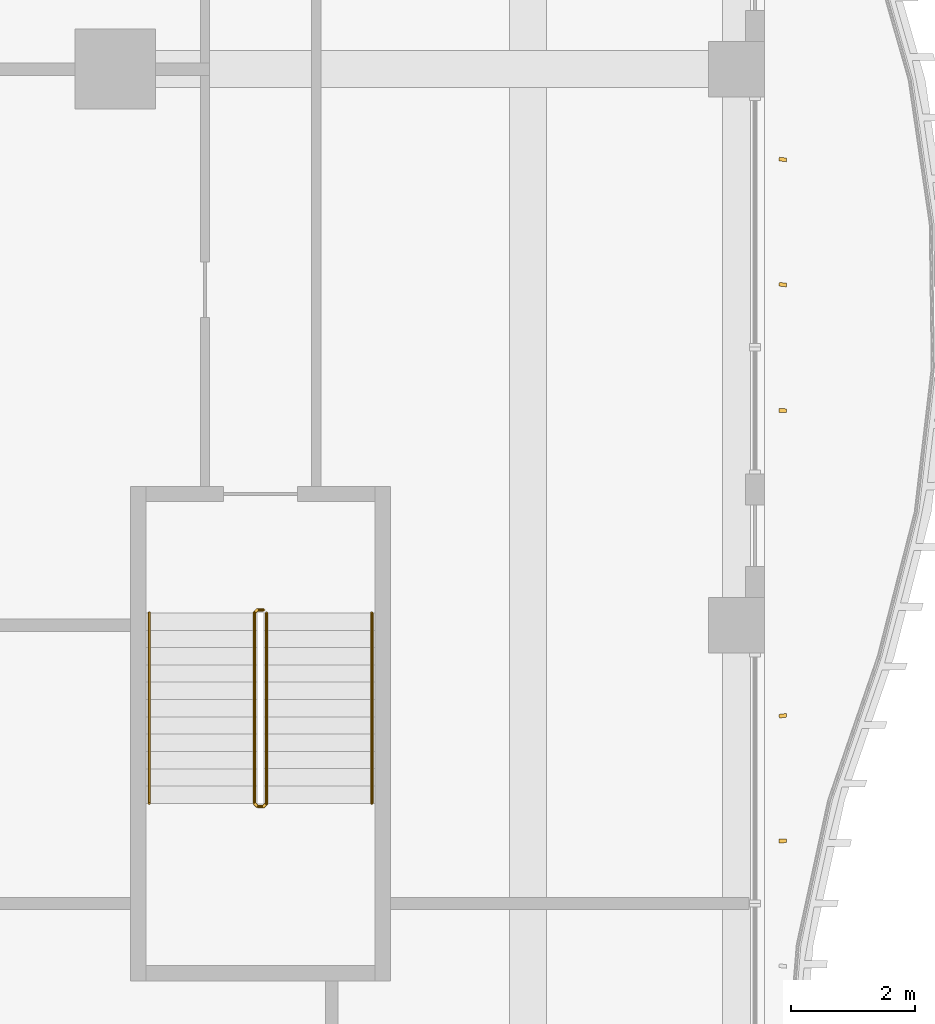
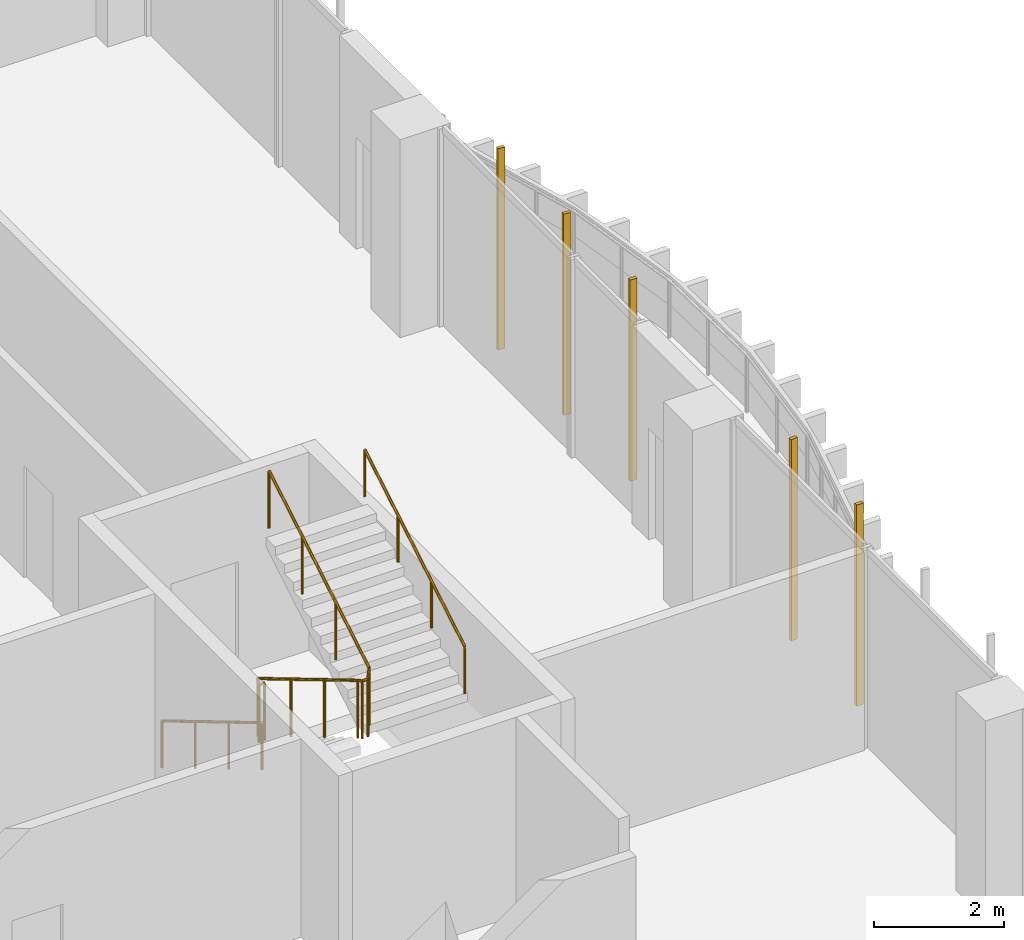
# One storey, part 22 of 26: 5 shading devices, 3 railings.
"""IFC4 building model written with IfcOpenShell, lengths in metres."""

from ifc_helpers import new_model, si_unit, direction, frame, origin, origin_2d, place, context, subcontext, project, spatial, rectangle, circle, extrude, source, transform, mapped, material, material_profile, profile_set, type_object, element, save


model = new_model("IFC4")

# Units and contexts
model_context = context("Model", 3, precision=1e-05, world=origin(), true_north=direction((0.0, 1.0)))
body_context = subcontext(model_context, "Body", "Model", "MODEL_VIEW")
ifc_project = project(units=[si_unit("LENGTHUNIT", "METRE"), si_unit("AREAUNIT", "SQUARE_METRE"), si_unit("VOLUMEUNIT", "CUBIC_METRE"), si_unit("PLANEANGLEUNIT", "RADIAN"), si_unit("MASSUNIT", "GRAM", prefix="KILO")], contexts=[model_context])

# Site, building, storey
site_placement = place(None, origin())
site = spatial("IfcSite", under=ifc_project, at=site_placement, CompositionType="ELEMENT")
building_placement = place(site_placement, origin())
building = spatial("IfcBuilding", under=site, at=building_placement, Name="Kilnfold Tower and Market Hall", CompositionType="ELEMENT")
storey_placement = place(building_placement, frame((0.0, 0.0, 31.0)))
storey = spatial("IfcBuildingStorey", under=building, at=storey_placement, Name="L06", CompositionType="ELEMENT", Elevation=31.0)

# Railings
ifc_material_1 = material(Name="Stainless steel 316", Category="steel")
railing_type_1 = type_object("IfcRailingType", Name="CORE STAIR GUARD 1100", PredefinedType="GUARDRAIL", material=ifc_material_1)
railing_1_placement = place(storey_placement, frame((19.89990234375, -9.75, 0.0)))
element("IfcRailing", 1, at=railing_1_placement, inside=storey, type_object=railing_type_1, Name="L06 ST4 stair guard 1", PredefinedType="GUARDRAIL", context=body_context, shape_type="SweptSolid", body=[
    extrude(circle(Radius=0.02392578125, at=origin_2d()), frame((0.0, 0.0, 1.076171875), z_axis=(-1.0, 0.0, 0.0), x_axis=(0.0, -1.0, 0.0)), (0.0, 0.0, 1.0), 0.099853515625),
    extrude(circle(Radius=0.02392578125, at=origin_2d()), frame((-0.099853515625, 0.0, 1.076171875), z_axis=(-0.27628659633, -0.27628659633, 0.920506074601), x_axis=(0.707106781187, -0.707106781187, 0.0)), (0.0, 0.0, 1.0), 0.18115234375),
    extrude(circle(Radius=0.02392578125, at=origin_2d()), frame((-0.14990234375, -0.050048828125, 1.24267578125), z_axis=(0.0, -0.859290745958, 0.51148745235), x_axis=(1.0, 0.0, 0.0)), (0.0, 0.0, 1.0), 3.584228515625),
    extrude(circle(Radius=0.02392578125, at=origin_2d()), frame((-0.14990234375, -3.1298828125, 3.076171875), z_axis=(0.707106781187, -0.707106781187, 0.0), x_axis=(0.707106781187, 0.707106781187, 0.0)), (0.0, 0.0, 1.0), 0.07080078125),
    extrude(circle(Radius=0.02392578125, at=origin_2d()), frame((-0.099853515625, -3.179931640625, 3.076171875), z_axis=(1.0, 0.0, 0.0), x_axis=(0.0, 1.0, 0.0)), (0.0, 0.0, 1.0), 0.099853515625),
    extrude(circle(Radius=0.02392578125, at=origin_2d()), frame((0.0, -3.179931640625, 3.076171875), z_axis=(0.27628659633, 0.27628659633, 0.920506074601), x_axis=(-0.707106781187, 0.707106781187, 0.0)), (0.0, 0.0, 1.0), 0.18115234375),
    extrude(circle(Radius=0.02392578125, at=origin_2d()), frame((0.050048828125, -3.1298828125, 3.24267578125), z_axis=(0.0, 0.859290745958, 0.51148745235), x_axis=(-1.0, 0.0, 0.0)), (0.0, 0.0, 1.0), 3.584228515625),
    extrude(circle(Radius=0.02099609375, at=origin_2d()), origin(), (0.0, 0.0, 1.0), 1.052001953125),
    extrude(circle(Radius=0.02099609375, at=origin_2d()), frame((-0.099853515625, 0.0, 0.0)), (0.0, 0.0, 1.0), 1.052001953125),
    extrude(circle(Radius=0.02099609375, at=origin_2d()), frame((-0.14990234375, -0.050048828125, 0.166748046875)), (0.0, 0.0, 1.0), 1.052001953125),
    extrude(circle(Radius=0.02099609375, at=origin_2d()), frame((-0.14990234375, -1.07666015625, 0.77783203125)), (0.0, 0.0, 1.0), 1.052001953125),
    extrude(circle(Radius=0.02099609375, at=origin_2d()), frame((-0.14990234375, -2.103271484375, 1.388916015625)), (0.0, 0.0, 1.0), 1.052001953125),
    extrude(circle(Radius=0.02099609375, at=origin_2d()), frame((-0.14990234375, -3.1298828125, 2.0)), (0.0, 0.0, 1.0), 1.052001953125),
    extrude(circle(Radius=0.02099609375, at=origin_2d()), frame((-0.099853515625, -3.179931640625, 2.0)), (0.0, 0.0, 1.0), 1.052001953125),
    extrude(circle(Radius=0.02099609375, at=origin_2d()), frame((0.0, -3.179931640625, 2.0)), (0.0, 0.0, 1.0), 1.052001953125),
    extrude(circle(Radius=0.02099609375, at=origin_2d()), frame((0.050048828125, -3.1298828125, 2.166748046875)), (0.0, 0.0, 1.0), 1.052001953125),
    extrude(circle(Radius=0.02099609375, at=origin_2d()), frame((0.050048828125, -2.103271484375, 2.77783203125)), (0.0, 0.0, 1.0), 1.052001953125),
    extrude(circle(Radius=0.02099609375, at=origin_2d()), frame((0.050048828125, -1.07666015625, 3.388916015625)), (0.0, 0.0, 1.0), 1.052001953125),
    extrude(circle(Radius=0.02099609375, at=origin_2d()), frame((0.050048828125, -0.050048828125, 4.0)), (0.0, 0.0, 1.0), 1.052001953125),
])
ifc_material_2 = material(Name="Stainless steel 316", Category="steel")
railing_type_2 = type_object("IfcRailingType", Name="CORE STAIR HANDRAIL 900", PredefinedType="HANDRAIL", material=ifc_material_2)
railing_2_placement = place(storey_placement, frame((18.050048828125, -9.800048828125, 0.166748046875)))
element("IfcRailing", 2, at=railing_2_placement, inside=storey, type_object=railing_type_2, Name="L06 ST4 stair handrail 1", PredefinedType="HANDRAIL", context=body_context, shape_type="SweptSolid", body=[
    extrude(circle(Radius=0.02392578125, at=origin_2d()), frame((0.0, 0.0, 0.8759765625), z_axis=(0.0, -0.859290745958, 0.51148745235), x_axis=(1.0, 0.0, 0.0)), (0.0, 0.0, 1.0), 3.584228515625),
    extrude(circle(Radius=0.02099609375, at=origin_2d()), origin(), (0.0, 0.0, 1.0), 0.851806640625),
    extrude(circle(Radius=0.02099609375, at=origin_2d()), frame((0.0, -1.026611328125, 0.611083984375)), (0.0, 0.0, 1.0), 0.851806640625),
    extrude(circle(Radius=0.02099609375, at=origin_2d()), frame((0.0, -2.05322265625, 1.22216796875)), (0.0, 0.0, 1.0), 0.851806640625),
    extrude(circle(Radius=0.02099609375, at=origin_2d()), frame((0.0, -3.079833984375, 1.833251953125)), (0.0, 0.0, 1.0), 0.851806640625),
])
railing_3_placement = place(storey_placement, frame((21.64990234375, -12.8798828125, 2.166748046875)))
element("IfcRailing", 3, at=railing_3_placement, inside=storey, type_object=railing_type_2, Name="L06 ST4 stair handrail 2", PredefinedType="HANDRAIL", context=body_context, shape_type="SweptSolid", body=[
    extrude(circle(Radius=0.02392578125, at=origin_2d()), frame((0.0, 0.0, 0.8759765625), z_axis=(0.0, 0.859290745958, 0.51148745235), x_axis=(-1.0, 0.0, 0.0)), (0.0, 0.0, 1.0), 3.584228515625),
    extrude(circle(Radius=0.02099609375, at=origin_2d()), origin(), (0.0, 0.0, 1.0), 0.851806640625),
    extrude(circle(Radius=0.02099609375, at=origin_2d()), frame((0.0, 1.026611328125, 0.611083984375)), (0.0, 0.0, 1.0), 0.851806640625),
    extrude(circle(Radius=0.02099609375, at=origin_2d()), frame((0.0, 2.05322265625, 1.22216796875)), (0.0, 0.0, 1.0), 0.851806640625),
    extrude(circle(Radius=0.02099609375, at=origin_2d()), frame((0.0, 3.079833984375, 1.833251953125)), (0.0, 0.0, 1.0), 0.851806640625),
])

# Shading devices
ifc_material_3 = material(Name="Terracotta", Category="masonry")
ifc_material_profile = material_profile(ifc_material_3, rectangle(XDim=0.06005859375, YDim=0.1201171875, at=origin_2d()), Name="BAG 60x120")
ifc_profile_set = profile_set([ifc_material_profile], Name="Terracotta")
shading_device_type = type_object("IfcShadingDeviceType", Name="BAGUETTE", PredefinedType="USERDEFINED", material=ifc_profile_set)
shared_shape = source(origin(), body_context, "Body", "SweptSolid", [
    extrude(rectangle(XDim=0.06005859375, YDim=0.1201171875, at=origin_2d()), origin(), (0.0, 0.0, 1.0), 3.780029296875),
])
for number, where, z_axis, x_axis, name in (
    (4, (28.300048828125, -13.487548828125, 0.0), (0.0, 0.0, 1.0), (-0.02111342433, 0.999777086811, 0.0), "Terracotta baguette L06 E"),
    (5, (28.300048828125, -11.46240234375, 0.0), (0.0, 0.0, 1.0), (-0.121545393111, 0.992585874075, 0.0), "Terracotta baguette L06 E"),
    (6, (28.300048828125, -6.52490234375, 0.0), (0.0, 0.0, 1.0), (0.018787364008, 0.999823501901, 0.0), "Terracotta baguette L06 E"),
    (7, (28.300048828125, -4.487548828125, 0.0), (0.0, 0.0, 1.0), (0.120777908459, 0.992679553949, 0.0), "Terracotta baguette L06 E"),
    (8, (28.300048828125, -2.46240234375, 0.0), (0.0, 0.0, 1.0), (0.128918481869, 0.991655194628, 0.0), "Terracotta baguette L06 E"),
):
    element("IfcShadingDevice", number, at=place(storey_placement, frame(where, z_axis=z_axis, x_axis=x_axis)), inside=storey, type_object=shading_device_type, Name=name, ObjectType="BAGUETTE", PredefinedType="USERDEFINED", context=body_context, shape_type="MappedRepresentation", body=[
        mapped(shared_shape, transform((0.0, 0.0, 0.0))),
    ])

save(model, "model.ifc")
